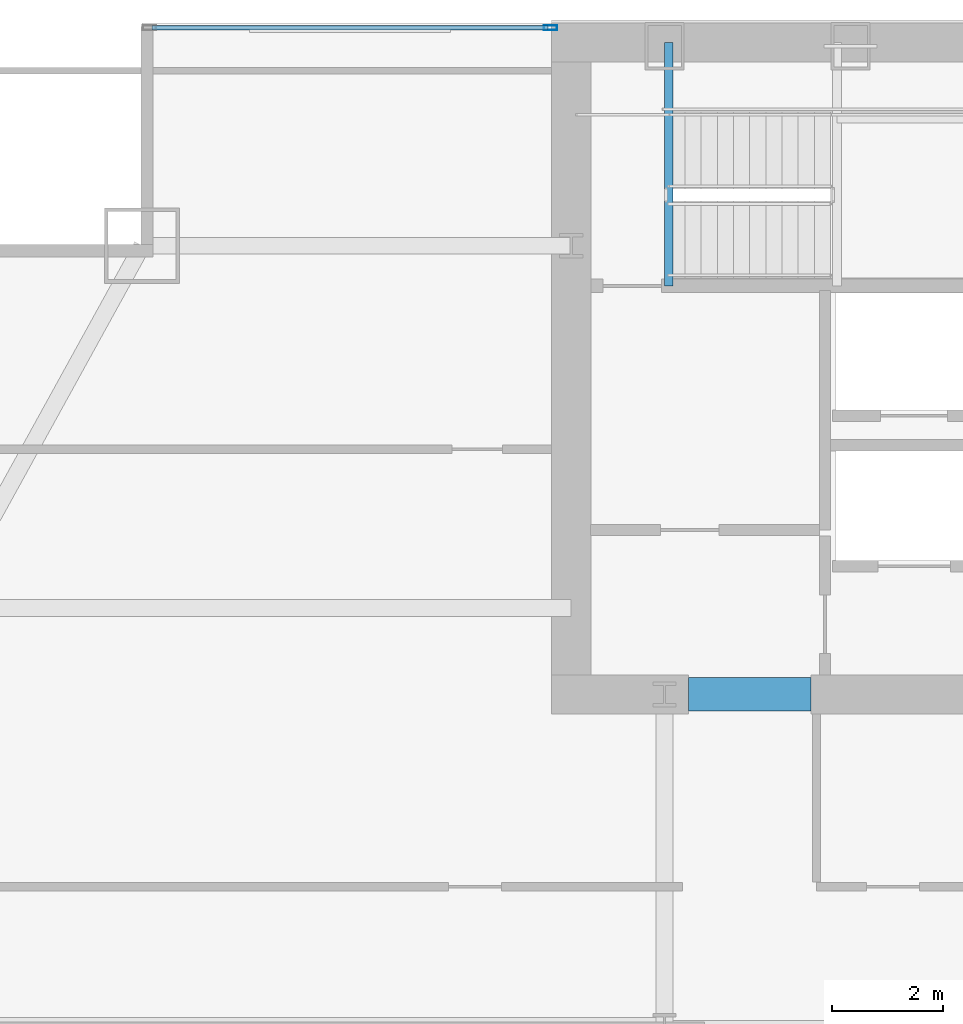
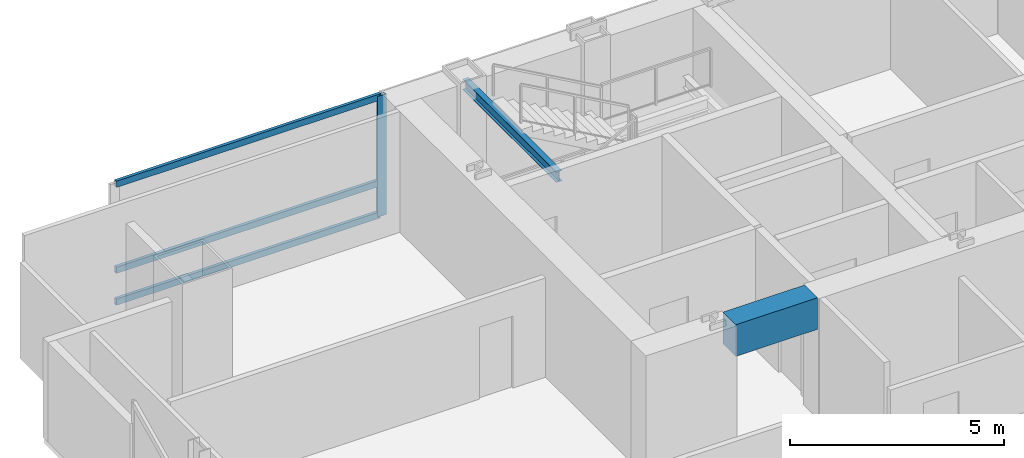
# One storey, part 18 of 29: 4 members, 2 beams, 1 element without a shape of its own.
"""IFC4 building model written with IfcOpenShell, lengths in metres."""

from ifc_helpers import new_model, si_unit, direction, frame, origin, origin_2d, place, context, subcontext, project, spatial, rectangle, hollow_rectangle, i_section, extrude, material, material_profile, profile_set, type_object, element, aggregate, save


model = new_model("IFC4")

# Units and contexts
model_context = context("Model", 3, precision=1e-05, world=origin(), true_north=direction((0.0, 1.0)))
body_context = subcontext(model_context, "Body", "Model", "MODEL_VIEW")
ifc_project = project(units=[si_unit("LENGTHUNIT", "METRE"), si_unit("AREAUNIT", "SQUARE_METRE"), si_unit("VOLUMEUNIT", "CUBIC_METRE"), si_unit("PLANEANGLEUNIT", "RADIAN"), si_unit("MASSUNIT", "GRAM", prefix="KILO")], contexts=[model_context])

# Site, building, storey
site_placement = place(None, origin())
site = spatial("IfcSite", under=ifc_project, at=site_placement, CompositionType="ELEMENT")
building_placement = place(site_placement, origin())
building = spatial("IfcBuilding", under=site, at=building_placement, Name="Khoronbel Lancet Exchange", CompositionType="ELEMENT")
storey_placement = place(building_placement, frame((0.0, 0.0, 165.0)))
storey = spatial("IfcBuildingStorey", under=building, at=storey_placement, Name="L41", CompositionType="ELEMENT", Elevation=165.0)

# Beams
ifc_material_1 = material(Name="Steel S355", Category="steel")
ifc_material_profile_1 = material_profile(ifc_material_1, i_section(OverallWidth=0.14990234375, OverallDepth=0.300048828125, WebThickness=0.007080078125, FlangeThickness=0.0107421875, at=origin_2d()), Name="IPE 300")
ifc_profile_set_1 = profile_set([ifc_material_profile_1], Name="Steel S355")
beam_type_1 = type_object("IfcBeamType", Name="BM-BJ8", PredefinedType="JOIST", material=ifc_profile_set_1)
beam_1_placement = place(storey_placement, frame((18.300048828125, 48.97998046875, 3.159912109375), z_axis=(0.0, 1.0, 0.0), x_axis=(-1.0, 0.0, 0.0)))
element("IfcBeam", 1, at=beam_1_placement, inside=storey, type_object=beam_type_1, Name="Level L41 stair ST1 upper-flight arrival trimmer beam", PredefinedType="JOIST", context=body_context, shape_type="SweptSolid", body=[
    extrude(i_section(OverallWidth=0.14990234375, OverallDepth=0.300048828125, WebThickness=0.007080078125, FlangeThickness=0.0107421875, at=origin_2d()), origin(), (0.0, 0.0, 1.0), 4.3701171875),
])
ifc_material_2 = material(Name="Concrete C80/95", Category="concrete")
ifc_material_profile_2 = material_profile(ifc_material_2, rectangle(XDim=0.60009765625, YDim=0.89990234375, at=origin_2d()), Name="RC 600x900")
ifc_profile_set_2 = profile_set([ifc_material_profile_2], Name="Concrete C80/95")
beam_type_2 = type_object("IfcBeamType", Name="BM-BL1", PredefinedType="LINTEL", material=ifc_profile_set_2)
beam_2_placement = place(storey_placement, frame((18.64990234375, 41.64990234375, 2.989990234375), z_axis=(1.0, 0.0, 0.0), x_axis=(0.0, 1.0, 0.0)))
element("IfcBeam", 2, at=beam_2_placement, inside=storey, type_object=beam_type_2, Name="Level L41 rear core coupling lintel L1", PredefinedType="LINTEL", context=body_context, shape_type="SweptSolid", body=[
    extrude(rectangle(XDim=0.60009765625, YDim=0.89990234375, at=origin_2d()), origin(), (0.0, 0.0, 1.0), 2.2001953125),
])

# Curtain wall, members
ifc_material_3 = material(Name="Low-E Solar Control Insulating Glass", Category="glass")
curtain_wall_type = type_object("IfcCurtainWallType", Name="CW-3", PredefinedType="NOTDEFINED", material=ifc_material_3)
curtain_wall_placement = place(storey_placement, origin())
curtain_wall = element("IfcCurtainWall", 3, at=curtain_wall_placement, inside=storey, type_object=curtain_wall_type, Name="Unitised curtain wall CW-L41-NWFLK", PredefinedType="NOTDEFINED")
ifc_material_4 = material(Name="Bronze-Anodised Aluminium 6063-T6", Category="aluminium")
ifc_material_profile_3 = material_profile(ifc_material_4, hollow_rectangle(XDim=0.0849609375, YDim=0.239990234375, WallThickness=0.006103515625, at=origin_2d()), Name="ALU MULLION 85x240")
ifc_profile_set_3 = profile_set([ifc_material_profile_3], Name="Bronze-Anodised Aluminium 6063-T6")
member_type_1 = type_object("IfcMemberType", Name="MEM-CWM1", PredefinedType="MULLION", material=ifc_profile_set_3)
member_1_placement = place(storey_placement, frame((16.177490234375, 53.610107421875, 0.0), z_axis=(0.0, 0.0, 1.0), x_axis=(0.0, -1.0, 0.0)))
member_1 = element("IfcMember", 4, at=member_1_placement, type_object=member_type_1, Name="CW3 mullion 1", PredefinedType="MULLION", context=body_context, shape_type="SweptSolid", body=[
    extrude(hollow_rectangle(XDim=0.0849609375, YDim=0.239990234375, WallThickness=0.006103515625, at=origin_2d()), origin(), (0.0, 0.0, 1.0), 3.43994140625),
])
ifc_material_profile_4 = material_profile(ifc_material_4, hollow_rectangle(XDim=0.0849609375, YDim=0.179931640625, WallThickness=0.0048828125, at=origin_2d()), Name="ALU TRANSOM 85x180")
ifc_profile_set_4 = profile_set([ifc_material_profile_4], Name="Bronze-Anodised Aluminium 6063-T6")
member_type_2 = type_object("IfcMemberType", Name="MEM-CWT1", PredefinedType="USERDEFINED", material=ifc_profile_set_4)
member_2_placement = place(storey_placement, frame((16.135009765625, 53.610107421875, 0.04248046875), z_axis=(-1.0, 0.0, 0.0), x_axis=(0.0, -1.0, 0.0)))
member_2 = element("IfcMember", 5, at=member_2_placement, type_object=member_type_2, Name="CW3 transom 1.1", ObjectType="TRANSOM", PredefinedType="USERDEFINED", context=body_context, shape_type="SweptSolid", body=[
    extrude(hollow_rectangle(XDim=0.0849609375, YDim=0.179931640625, WallThickness=0.0048828125, at=origin_2d()), origin(), (0.0, 0.0, 1.0), 7.110107421875),
])
member_3_placement = place(storey_placement, frame((16.135009765625, 53.610107421875, 0.949951171875), z_axis=(-1.0, 0.0, 0.0), x_axis=(0.0, -1.0, 0.0)))
member_3 = element("IfcMember", 6, at=member_3_placement, type_object=member_type_2, Name="CW3 transom 1.2", ObjectType="TRANSOM", PredefinedType="USERDEFINED", context=body_context, shape_type="SweptSolid", body=[
    extrude(hollow_rectangle(XDim=0.0849609375, YDim=0.179931640625, WallThickness=0.0048828125, at=origin_2d()), origin(), (0.0, 0.0, 1.0), 7.110107421875),
])
member_4_placement = place(storey_placement, frame((16.135009765625, 53.610107421875, 3.3974609375), z_axis=(-1.0, 0.0, 0.0), x_axis=(0.0, -1.0, 0.0)))
member_4 = element("IfcMember", 7, at=member_4_placement, type_object=member_type_2, Name="CW3 transom 1.3", ObjectType="TRANSOM", PredefinedType="USERDEFINED", context=body_context, shape_type="SweptSolid", body=[
    extrude(hollow_rectangle(XDim=0.0849609375, YDim=0.179931640625, WallThickness=0.0048828125, at=origin_2d()), origin(), (0.0, 0.0, 1.0), 7.110107421875),
])
aggregate(curtain_wall, [member_1, member_2, member_3, member_4])

save(model, "model.ifc")
